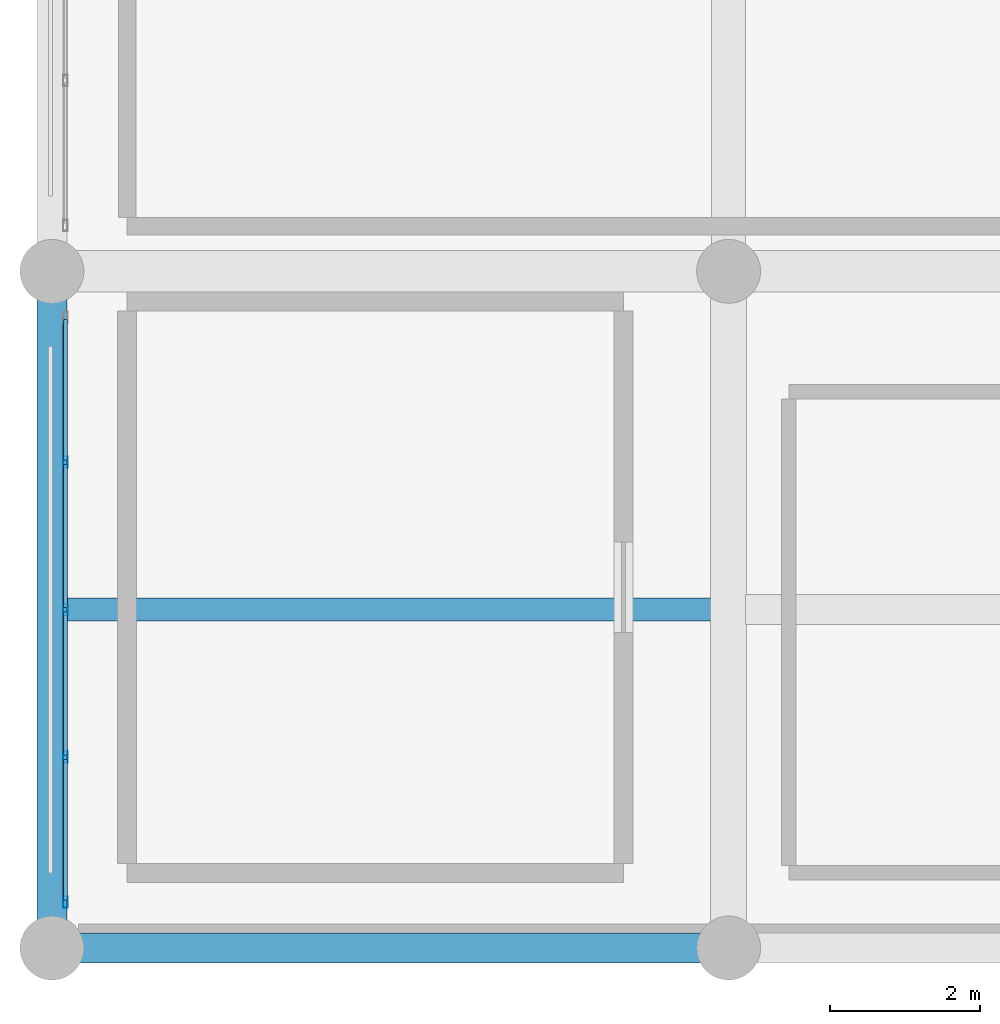
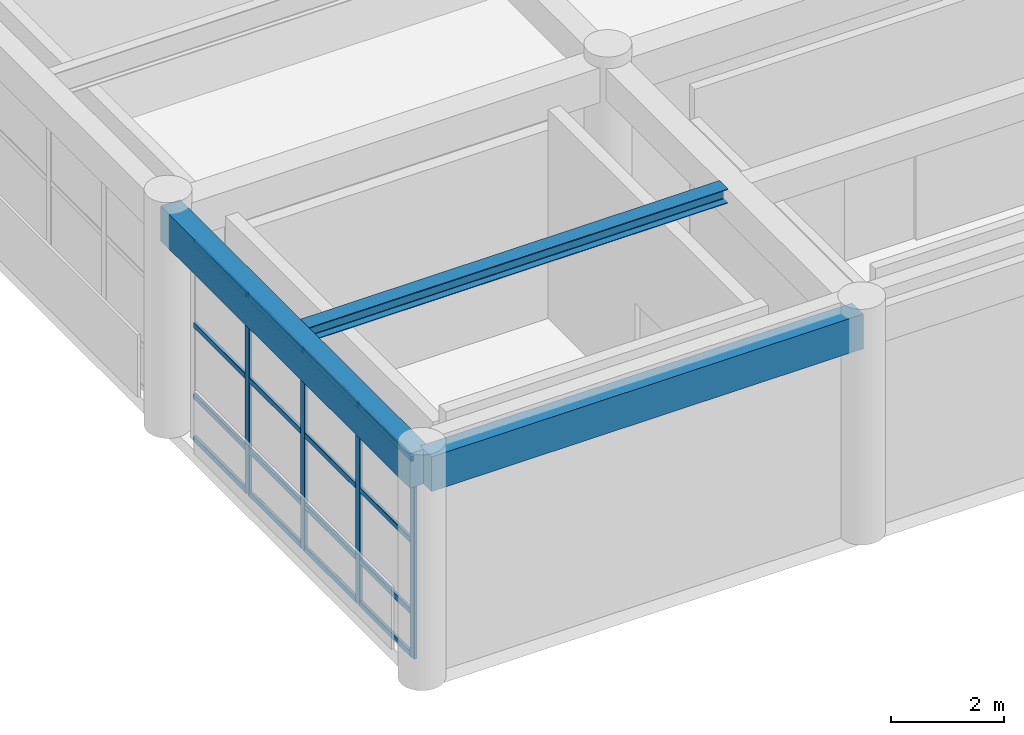
# One storey, part 15 of 128: 20 members, 3 beams, 1 element without a shape of its own.
"""IFC4 building model written with IfcOpenShell, lengths in metres."""

import ifcopenshell
import ifcopenshell.guid

model = None  # the IFC model being written
_history = None  # IfcOwnerHistory: only IFC2X3 demands one
_inside = {}  # id of a spatial element -> (the spatial element, [elements in it])
_under = {}  # id of a project, library or spatial element -> (it, [spatial elements below it])
_declared = {}  # id of a project -> (the project, [libraries it declares])
_typed = {}  # id of a type object -> (the type object, [elements of that type])
_made_of = {}  # id of a material, layer set ... -> (it, [elements and type objects made of it])


def new_model(schema):
    """Start an empty IFC model of exactly this schema.

    Asked for "IFC4X3", IfcOpenShell would pick the latest addendum, in which some entities
    have other attributes; the version numbers below select the first issue.
    IFC2X3 requires an IfcOwnerHistory on every rooted entity: one is made here for all.
    """
    global model, _history
    if schema == "IFC4X3":
        model = ifcopenshell.file(schema_version=(4, 3, 0, 0))
    else:
        model = ifcopenshell.file(schema=schema)
    _inside.clear()
    _under.clear()
    _declared.clear()
    _typed.clear()
    _made_of.clear()
    _history = None
    if model.schema == "IFC2X3":
        org = make("IfcOrganization", Name="unknown")
        user = make(
            "IfcPersonAndOrganization",
            ThePerson=make("IfcPerson", FamilyName="unknown"),
            TheOrganization=org,
        )
        app = make(
            "IfcApplication",
            ApplicationDeveloper=org,
            Version="unknown",
            ApplicationFullName="unknown",
            ApplicationIdentifier="unknown",
        )
        _history = make(
            "IfcOwnerHistory",
            OwningUser=user,
            OwningApplication=app,
            ChangeAction="ADDED",
            CreationDate=0,
        )
    return model


def make(cls, **values):
    """One entity of the class cls with the attributes given. An attribute that is None is left unset."""
    return model.create_entity(
        cls, **{name: value for name, value in values.items() if value is not None}
    )


def rooted(cls, **values):
    """An entity with a GlobalId (a new one), such as an element, a storey or a relation."""
    return make(cls, GlobalId=ifcopenshell.guid.new(), OwnerHistory=_history, **values)


def si_unit(unit_type, name, prefix=None):
    """IfcSIUnit, for example si_unit("LENGTHUNIT", "METRE", prefix="MILLI")."""
    return make("IfcSIUnit", UnitType=unit_type, Prefix=prefix, Name=name)


def assignment(units):
    """IfcUnitAssignment: the units of a project."""
    return None if units is None else make("IfcUnitAssignment", Units=units)


def point(xyz):
    """IfcCartesianPoint."""
    return None if xyz is None else make("IfcCartesianPoint", Coordinates=xyz)


def direction(xyz):
    """IfcDirection."""
    return None if xyz is None else make("IfcDirection", DirectionRatios=xyz)


def frame(location, z_axis=None, x_axis=None):
    """IfcAxis2Placement3D, a coordinate frame: its origin and axes. An axis left out is left unset."""
    return make(
        "IfcAxis2Placement3D",
        Location=point(location),
        Axis=direction(z_axis),
        RefDirection=direction(x_axis),
    )


def frame_2d(location, x_axis=None):
    """IfcAxis2Placement2D, a coordinate frame in the plane: its origin and x axis."""
    return make(
        "IfcAxis2Placement2D", Location=point(location), RefDirection=direction(x_axis)
    )


def origin():
    """The frame at (0, 0, 0) with its axes left unset."""
    return frame((0.0, 0.0, 0.0))


def origin_2d():
    """The frame at (0, 0) in the plane with its x axis left unset."""
    return frame_2d((0.0, 0.0))


def place(relative_to, where):
    """IfcLocalPlacement: puts the frame where relative to a parent placement (None: the world)."""
    return make(
        "IfcLocalPlacement", PlacementRelTo=relative_to, RelativePlacement=where
    )


def context(
    kind, dimensions, precision=None, world=None, true_north=None, identifier=None
):
    """IfcGeometricRepresentationContext, for example the 3D "Model" context."""
    return make(
        "IfcGeometricRepresentationContext",
        ContextIdentifier=identifier,
        ContextType=kind,
        CoordinateSpaceDimension=dimensions,
        Precision=precision,
        WorldCoordinateSystem=world,
        TrueNorth=true_north,
    )


def subcontext(parent, identifier, kind, view, scale=None):
    """IfcGeometricRepresentationSubContext, for example "Body" below "Model"."""
    return make(
        "IfcGeometricRepresentationSubContext",
        ContextIdentifier=identifier,
        ContextType=kind,
        ParentContext=parent,
        TargetScale=scale,
        TargetView=view,
    )


def project(units=None, contexts=None):
    """IfcProject with its units and contexts."""
    return rooted(
        "IfcProject",
        Name="project",
        RepresentationContexts=contexts,
        UnitsInContext=assignment(units),
    )


def spatial(cls, under=None, at=None, **own):
    """A site, building, storey or space (cls), placed at a placement, below another one or the project."""
    s = rooted(cls, ObjectPlacement=at, **own)
    if under is not None:
        _under.setdefault(under.id(), (under, []))[1].append(s)
    return s


def profile(cls, at=None, kind="AREA", **sizes):
    """A parametric profile (cls). Its sizes go by their IFC names, for example OverallWidth=200.0."""
    return make(cls, ProfileType=kind, Position=at, **sizes)


def rectangle(**sizes):
    """IfcRectangleProfileDef."""
    return profile("IfcRectangleProfileDef", **sizes)


def hollow_rectangle(**sizes):
    """IfcRectangleHollowProfileDef."""
    return profile("IfcRectangleHollowProfileDef", **sizes)


def i_section(**sizes):
    """IfcIShapeProfileDef."""
    return profile("IfcIShapeProfileDef", **sizes)


def extrude(swept, where, along, depth):
    """IfcExtrudedAreaSolid: the profile swept, set in the frame where, extruded along a direction by depth."""
    return make(
        "IfcExtrudedAreaSolid",
        SweptArea=swept,
        Position=where,
        ExtrudedDirection=direction(along),
        Depth=depth,
    )


def shape(context_of_items, identifier, shape_type, items):
    """IfcShapeRepresentation: the items that make up one representation, for example the "Body"."""
    return make(
        "IfcShapeRepresentation",
        ContextOfItems=context_of_items,
        RepresentationIdentifier=identifier,
        RepresentationType=shape_type,
        Items=items,
    )


def material(Name=None, Category=None):
    """IfcMaterial."""
    return make("IfcMaterial", Name=Name, Category=Category)


def material_profile(
    of_material, cross_section, Name=None, Category=None, Priority=None
):
    """IfcMaterialProfile: a cross section and its material."""
    return make(
        "IfcMaterialProfile",
        Name=Name,
        Material=of_material,
        Profile=cross_section,
        Priority=Priority,
        Category=Category,
    )


def profile_set(profiles, Name=None, composite=None):
    """IfcMaterialProfileSet."""
    return make(
        "IfcMaterialProfileSet",
        Name=Name,
        MaterialProfiles=profiles,
        CompositeProfile=composite,
    )


def made_of(thing, what):
    """Note that an element or type object is made of a material, layer set ...; save() writes the relation."""
    if what is not None:
        _made_of.setdefault(what.id(), (what, []))[1].append(thing)
    return thing


def type_object(cls, material=None, **own):
    """A type object (cls), such as IfcWallType, which elements share."""
    return made_of(rooted(cls, **own), material)


def element(
    cls,
    number,
    at=None,
    inside=None,
    cuts=None,
    type_object=None,
    material=None,
    context=None,
    identifier="Body",
    shape_type=None,
    held_by="IfcProductDefinitionShape",
    body=None,
    shapes=None,
    **own,
):
    """One element of the class cls, such as IfcWall. Its Tag is "e" and its number.

    at: its placement. inside: the storey or other place that contains it. cuts: it is an
    opening in that element (IfcRelVoidsElement). A single representation is given by context,
    identifier, shape_type and body (its items); several are given by shapes. held_by: the class
    of the entity that holds the representations. save() writes the other relations.
    """
    e = rooted(cls, Tag="e%d" % number, ObjectPlacement=at, **own)
    if body is not None:
        shapes = [shape(context, identifier, shape_type, body)]
    if shapes is not None:
        e.Representation = make(held_by, Representations=shapes)
    if inside is not None:
        _inside.setdefault(inside.id(), (inside, []))[1].append(e)
    if cuts is not None:
        rooted(
            "IfcRelVoidsElement", RelatingBuildingElement=cuts, RelatedOpeningElement=e
        )
    if type_object is not None:
        _typed.setdefault(type_object.id(), (type_object, []))[1].append(e)
    return made_of(e, material)


def aggregate(whole, parts):
    """IfcRelAggregates: a whole, such as a stair, and the parts it consists of."""
    return rooted("IfcRelAggregates", RelatingObject=whole, RelatedObjects=parts)


def save(model, path):
    """Write the relations noted so far, then the file.

    IfcRelAggregates (storeys below a building ...), IfcRelContainedInSpatialStructure (elements
    in a storey), IfcRelDefinesByType, IfcRelAssociatesMaterial and IfcRelDeclares: one each for
    every whole, place, type object, material and project.
    """
    for whole, parts in _under.values():
        aggregate(whole, parts)
    for where, things in _inside.values():
        rooted(
            "IfcRelContainedInSpatialStructure",
            RelatedElements=things,
            RelatingStructure=where,
        )
    for kind, things in _typed.values():
        rooted("IfcRelDefinesByType", RelatedObjects=things, RelatingType=kind)
    for what, things in _made_of.values():
        rooted("IfcRelAssociatesMaterial", RelatedObjects=things, RelatingMaterial=what)
    for by, libraries in _declared.values():
        rooted("IfcRelDeclares", RelatingContext=by, RelatedDefinitions=libraries)
    model.write(path)


model = new_model("IFC4")

# Units and contexts
model_context = context("Model", 3, precision=1e-05, world=origin(), true_north=direction((0.0, 1.0)))
body_context = subcontext(model_context, "Body", "Model", "MODEL_VIEW")
ifc_project = project(units=[si_unit("LENGTHUNIT", "METRE"), si_unit("AREAUNIT", "SQUARE_METRE"), si_unit("VOLUMEUNIT", "CUBIC_METRE"), si_unit("PLANEANGLEUNIT", "RADIAN"), si_unit("MASSUNIT", "GRAM", prefix="KILO")], contexts=[model_context])

# Site, building, storey
site_placement = place(None, origin())
site = spatial("IfcSite", under=ifc_project, at=site_placement, CompositionType="ELEMENT")
building_placement = place(site_placement, origin())
building = spatial("IfcBuilding", under=site, at=building_placement, Name="Miravela Opera House", CompositionType="ELEMENT")
storey_placement = place(building_placement, origin())
storey = spatial("IfcBuildingStorey", under=building, at=storey_placement, Name="L00", CompositionType="ELEMENT", Elevation=0.0)

# Curtain wall, members
ifc_material_1 = material(Name="Anodised architectural bronze aluminium 6063-T6", Category="aluminium")
curtain_wall_type = type_object("IfcCurtainWallType", Name="ARC-CW-07", PredefinedType="NOTDEFINED", material=ifc_material_1)
curtain_wall_placement = place(storey_placement, origin())
curtain_wall = element("IfcCurtainWall", 1, at=curtain_wall_placement, inside=storey, type_object=curtain_wall_type, Name="Courtyard Arcade Curtain Wall CW-L00-192", PredefinedType="NOTDEFINED")
ifc_material_profile_1 = material_profile(ifc_material_1, hollow_rectangle(XDim=0.06005859375, YDim=0.14990234375, WallThickness=0.00390625, InnerFilletRadius=0.001953125, OuterFilletRadius=0.00390625, at=origin_2d()), Name="CWM-60X150")
ifc_profile_set_1 = profile_set([ifc_material_profile_1])
member_type_1 = type_object("IfcMemberType", Name="ARC-CWM-150", PredefinedType="MULLION", material=ifc_profile_set_1)
member_1_placement = place(storey_placement, frame((0.179931640625, 0.610107421875, 0.0), z_axis=(0.0, 0.0, 1.0), x_axis=(-1.0, 0.0, 0.0)))
member_1 = element("IfcMember", 2, at=member_1_placement, type_object=member_type_1, Name="CW-07 mullion 1", PredefinedType="MULLION", context=body_context, shape_type="SweptSolid", body=[
    extrude(hollow_rectangle(XDim=0.06005859375, YDim=0.14990234375, WallThickness=0.00390625, InnerFilletRadius=0.001953125, OuterFilletRadius=0.00390625, at=origin_2d()), origin(), (0.0, 0.0, 1.0), 4.300048828125),
])
member_2_placement = place(storey_placement, frame((0.179931640625, 2.5400390625, 0.0), z_axis=(0.0, 0.0, 1.0), x_axis=(-1.0, 0.0, 0.0)))
member_2 = element("IfcMember", 3, at=member_2_placement, type_object=member_type_1, Name="CW-07 mullion 2", PredefinedType="MULLION", context=body_context, shape_type="SweptSolid", body=[
    extrude(hollow_rectangle(XDim=0.06005859375, YDim=0.14990234375, WallThickness=0.00390625, InnerFilletRadius=0.001953125, OuterFilletRadius=0.00390625, at=origin_2d()), origin(), (0.0, 0.0, 1.0), 4.300048828125),
])
member_3_placement = place(storey_placement, frame((0.179931640625, 4.5, 0.0), z_axis=(0.0, 0.0, 1.0), x_axis=(-1.0, 0.0, 0.0)))
member_3 = element("IfcMember", 4, at=member_3_placement, type_object=member_type_1, Name="CW-07 mullion 3", PredefinedType="MULLION", context=body_context, shape_type="SweptSolid", body=[
    extrude(hollow_rectangle(XDim=0.06005859375, YDim=0.14990234375, WallThickness=0.00390625, InnerFilletRadius=0.001953125, OuterFilletRadius=0.00390625, at=origin_2d()), origin(), (0.0, 0.0, 1.0), 4.300048828125),
])
member_4_placement = place(storey_placement, frame((0.179931640625, 6.4599609375, 0.0), z_axis=(0.0, 0.0, 1.0), x_axis=(-1.0, 0.0, 0.0)))
member_4 = element("IfcMember", 5, at=member_4_placement, type_object=member_type_1, Name="CW-07 mullion 4", PredefinedType="MULLION", context=body_context, shape_type="SweptSolid", body=[
    extrude(hollow_rectangle(XDim=0.06005859375, YDim=0.14990234375, WallThickness=0.00390625, InnerFilletRadius=0.001953125, OuterFilletRadius=0.00390625, at=origin_2d()), origin(), (0.0, 0.0, 1.0), 4.300048828125),
])
ifc_material_profile_2 = material_profile(ifc_material_1, hollow_rectangle(XDim=0.06005859375, YDim=0.114990234375, WallThickness=0.00390625, InnerFilletRadius=0.001953125, OuterFilletRadius=0.00390625, at=origin_2d()), Name="CWT-60X115")
ifc_profile_set_2 = profile_set([ifc_material_profile_2])
member_type_2 = type_object("IfcMemberType", Name="ARC-CWT-115", PredefinedType="USERDEFINED", material=ifc_profile_set_2)
member_5_placement = place(storey_placement, frame((0.179931640625, 0.639892578125, 0.030029296875), z_axis=(0.0, 1.0, 0.0), x_axis=(-1.0, 0.0, 0.0)))
member_5 = element("IfcMember", 6, at=member_5_placement, type_object=member_type_2, Name="CW-07 transom 1.1", ObjectType="TRANSOM", PredefinedType="USERDEFINED", context=body_context, shape_type="SweptSolid", body=[
    extrude(hollow_rectangle(XDim=0.06005859375, YDim=0.114990234375, WallThickness=0.00390625, InnerFilletRadius=0.001953125, OuterFilletRadius=0.00390625, at=origin_2d()), origin(), (0.0, 0.0, 1.0), 1.8701171875),
])
member_6_placement = place(storey_placement, frame((0.179931640625, 0.639892578125, 0.949951171875), z_axis=(0.0, 1.0, 0.0), x_axis=(-1.0, 0.0, 0.0)))
member_6 = element("IfcMember", 7, at=member_6_placement, type_object=member_type_2, Name="CW-07 transom 1.2", ObjectType="TRANSOM", PredefinedType="USERDEFINED", context=body_context, shape_type="SweptSolid", body=[
    extrude(hollow_rectangle(XDim=0.06005859375, YDim=0.114990234375, WallThickness=0.00390625, InnerFilletRadius=0.001953125, OuterFilletRadius=0.00390625, at=origin_2d()), origin(), (0.0, 0.0, 1.0), 1.8701171875),
])
member_7_placement = place(storey_placement, frame((0.179931640625, 0.639892578125, 2.493896484375), z_axis=(0.0, 1.0, 0.0), x_axis=(-1.0, 0.0, 0.0)))
member_7 = element("IfcMember", 8, at=member_7_placement, type_object=member_type_2, Name="CW-07 transom 1.3", ObjectType="TRANSOM", PredefinedType="USERDEFINED", context=body_context, shape_type="SweptSolid", body=[
    extrude(hollow_rectangle(XDim=0.06005859375, YDim=0.114990234375, WallThickness=0.00390625, InnerFilletRadius=0.001953125, OuterFilletRadius=0.00390625, at=origin_2d()), origin(), (0.0, 0.0, 1.0), 1.8701171875),
])
member_8_placement = place(storey_placement, frame((0.179931640625, 0.639892578125, 4.27001953125), z_axis=(0.0, 1.0, 0.0), x_axis=(-1.0, 0.0, 0.0)))
member_8 = element("IfcMember", 9, at=member_8_placement, type_object=member_type_2, Name="CW-07 transom 1.4", ObjectType="TRANSOM", PredefinedType="USERDEFINED", context=body_context, shape_type="SweptSolid", body=[
    extrude(hollow_rectangle(XDim=0.06005859375, YDim=0.114990234375, WallThickness=0.00390625, InnerFilletRadius=0.001953125, OuterFilletRadius=0.00390625, at=origin_2d()), origin(), (0.0, 0.0, 1.0), 1.8701171875),
])
member_9_placement = place(storey_placement, frame((0.179931640625, 2.570068359375, 0.030029296875), z_axis=(0.0, 1.0, 0.0), x_axis=(-1.0, 0.0, 0.0)))
member_9 = element("IfcMember", 10, at=member_9_placement, type_object=member_type_2, Name="CW-07 transom 2.1", ObjectType="TRANSOM", PredefinedType="USERDEFINED", context=body_context, shape_type="SweptSolid", body=[
    extrude(hollow_rectangle(XDim=0.06005859375, YDim=0.114990234375, WallThickness=0.00390625, InnerFilletRadius=0.001953125, OuterFilletRadius=0.00390625, at=origin_2d()), origin(), (0.0, 0.0, 1.0), 1.89990234375),
])
member_10_placement = place(storey_placement, frame((0.179931640625, 2.570068359375, 0.949951171875), z_axis=(0.0, 1.0, 0.0), x_axis=(-1.0, 0.0, 0.0)))
member_10 = element("IfcMember", 11, at=member_10_placement, type_object=member_type_2, Name="CW-07 transom 2.2", ObjectType="TRANSOM", PredefinedType="USERDEFINED", context=body_context, shape_type="SweptSolid", body=[
    extrude(hollow_rectangle(XDim=0.06005859375, YDim=0.114990234375, WallThickness=0.00390625, InnerFilletRadius=0.001953125, OuterFilletRadius=0.00390625, at=origin_2d()), origin(), (0.0, 0.0, 1.0), 1.89990234375),
])
member_11_placement = place(storey_placement, frame((0.179931640625, 2.570068359375, 2.493896484375), z_axis=(0.0, 1.0, 0.0), x_axis=(-1.0, 0.0, 0.0)))
member_11 = element("IfcMember", 12, at=member_11_placement, type_object=member_type_2, Name="CW-07 transom 2.3", ObjectType="TRANSOM", PredefinedType="USERDEFINED", context=body_context, shape_type="SweptSolid", body=[
    extrude(hollow_rectangle(XDim=0.06005859375, YDim=0.114990234375, WallThickness=0.00390625, InnerFilletRadius=0.001953125, OuterFilletRadius=0.00390625, at=origin_2d()), origin(), (0.0, 0.0, 1.0), 1.89990234375),
])
member_12_placement = place(storey_placement, frame((0.179931640625, 2.570068359375, 4.27001953125), z_axis=(0.0, 1.0, 0.0), x_axis=(-1.0, 0.0, 0.0)))
member_12 = element("IfcMember", 13, at=member_12_placement, type_object=member_type_2, Name="CW-07 transom 2.4", ObjectType="TRANSOM", PredefinedType="USERDEFINED", context=body_context, shape_type="SweptSolid", body=[
    extrude(hollow_rectangle(XDim=0.06005859375, YDim=0.114990234375, WallThickness=0.00390625, InnerFilletRadius=0.001953125, OuterFilletRadius=0.00390625, at=origin_2d()), origin(), (0.0, 0.0, 1.0), 1.89990234375),
])
member_13_placement = place(storey_placement, frame((0.179931640625, 4.530029296875, 0.030029296875), z_axis=(0.0, 1.0, 0.0), x_axis=(-1.0, 0.0, 0.0)))
member_13 = element("IfcMember", 14, at=member_13_placement, type_object=member_type_2, Name="CW-07 transom 3.1", ObjectType="TRANSOM", PredefinedType="USERDEFINED", context=body_context, shape_type="SweptSolid", body=[
    extrude(hollow_rectangle(XDim=0.06005859375, YDim=0.114990234375, WallThickness=0.00390625, InnerFilletRadius=0.001953125, OuterFilletRadius=0.00390625, at=origin_2d()), origin(), (0.0, 0.0, 1.0), 1.89990234375),
])
member_14_placement = place(storey_placement, frame((0.179931640625, 4.530029296875, 0.949951171875), z_axis=(0.0, 1.0, 0.0), x_axis=(-1.0, 0.0, 0.0)))
member_14 = element("IfcMember", 15, at=member_14_placement, type_object=member_type_2, Name="CW-07 transom 3.2", ObjectType="TRANSOM", PredefinedType="USERDEFINED", context=body_context, shape_type="SweptSolid", body=[
    extrude(hollow_rectangle(XDim=0.06005859375, YDim=0.114990234375, WallThickness=0.00390625, InnerFilletRadius=0.001953125, OuterFilletRadius=0.00390625, at=origin_2d()), origin(), (0.0, 0.0, 1.0), 1.89990234375),
])
member_15_placement = place(storey_placement, frame((0.179931640625, 4.530029296875, 2.493896484375), z_axis=(0.0, 1.0, 0.0), x_axis=(-1.0, 0.0, 0.0)))
member_15 = element("IfcMember", 16, at=member_15_placement, type_object=member_type_2, Name="CW-07 transom 3.3", ObjectType="TRANSOM", PredefinedType="USERDEFINED", context=body_context, shape_type="SweptSolid", body=[
    extrude(hollow_rectangle(XDim=0.06005859375, YDim=0.114990234375, WallThickness=0.00390625, InnerFilletRadius=0.001953125, OuterFilletRadius=0.00390625, at=origin_2d()), origin(), (0.0, 0.0, 1.0), 1.89990234375),
])
member_16_placement = place(storey_placement, frame((0.179931640625, 4.530029296875, 4.27001953125), z_axis=(0.0, 1.0, 0.0), x_axis=(-1.0, 0.0, 0.0)))
member_16 = element("IfcMember", 17, at=member_16_placement, type_object=member_type_2, Name="CW-07 transom 3.4", ObjectType="TRANSOM", PredefinedType="USERDEFINED", context=body_context, shape_type="SweptSolid", body=[
    extrude(hollow_rectangle(XDim=0.06005859375, YDim=0.114990234375, WallThickness=0.00390625, InnerFilletRadius=0.001953125, OuterFilletRadius=0.00390625, at=origin_2d()), origin(), (0.0, 0.0, 1.0), 1.89990234375),
])
member_17_placement = place(storey_placement, frame((0.179931640625, 6.489990234375, 0.030029296875), z_axis=(0.0, 1.0, 0.0), x_axis=(-1.0, 0.0, 0.0)))
member_17 = element("IfcMember", 18, at=member_17_placement, type_object=member_type_2, Name="CW-07 transom 4.1", ObjectType="TRANSOM", PredefinedType="USERDEFINED", context=body_context, shape_type="SweptSolid", body=[
    extrude(hollow_rectangle(XDim=0.06005859375, YDim=0.114990234375, WallThickness=0.00390625, InnerFilletRadius=0.001953125, OuterFilletRadius=0.00390625, at=origin_2d()), origin(), (0.0, 0.0, 1.0), 1.8701171875),
])
member_18_placement = place(storey_placement, frame((0.179931640625, 6.489990234375, 0.949951171875), z_axis=(0.0, 1.0, 0.0), x_axis=(-1.0, 0.0, 0.0)))
member_18 = element("IfcMember", 19, at=member_18_placement, type_object=member_type_2, Name="CW-07 transom 4.2", ObjectType="TRANSOM", PredefinedType="USERDEFINED", context=body_context, shape_type="SweptSolid", body=[
    extrude(hollow_rectangle(XDim=0.06005859375, YDim=0.114990234375, WallThickness=0.00390625, InnerFilletRadius=0.001953125, OuterFilletRadius=0.00390625, at=origin_2d()), origin(), (0.0, 0.0, 1.0), 1.8701171875),
])
member_19_placement = place(storey_placement, frame((0.179931640625, 6.489990234375, 2.493896484375), z_axis=(0.0, 1.0, 0.0), x_axis=(-1.0, 0.0, 0.0)))
member_19 = element("IfcMember", 20, at=member_19_placement, type_object=member_type_2, Name="CW-07 transom 4.3", ObjectType="TRANSOM", PredefinedType="USERDEFINED", context=body_context, shape_type="SweptSolid", body=[
    extrude(hollow_rectangle(XDim=0.06005859375, YDim=0.114990234375, WallThickness=0.00390625, InnerFilletRadius=0.001953125, OuterFilletRadius=0.00390625, at=origin_2d()), origin(), (0.0, 0.0, 1.0), 1.8701171875),
])
member_20_placement = place(storey_placement, frame((0.179931640625, 6.489990234375, 4.27001953125), z_axis=(0.0, 1.0, 0.0), x_axis=(-1.0, 0.0, 0.0)))
member_20 = element("IfcMember", 21, at=member_20_placement, type_object=member_type_2, Name="CW-07 transom 4.4", ObjectType="TRANSOM", PredefinedType="USERDEFINED", context=body_context, shape_type="SweptSolid", body=[
    extrude(hollow_rectangle(XDim=0.06005859375, YDim=0.114990234375, WallThickness=0.00390625, InnerFilletRadius=0.001953125, OuterFilletRadius=0.00390625, at=origin_2d()), origin(), (0.0, 0.0, 1.0), 1.8701171875),
])
aggregate(curtain_wall, [member_1, member_2, member_3, member_4, member_5, member_6, member_7, member_8, member_9, member_10, member_11, member_12, member_13, member_14, member_15, member_16, member_17, member_18, member_19, member_20])

# Beams
ifc_material_2 = material(Name="Structural steel ASTM A992 Gr. 50", Category="steel")
ifc_material_profile_3 = material_profile(ifc_material_2, i_section(OverallWidth=0.304931640625, OverallDepth=0.30810546875, WebThickness=0.010009765625, FlangeThickness=0.015380859375, FilletRadius=0.013916015625, at=origin_2d()), Name="W310X97")
ifc_profile_set_3 = profile_set([ifc_material_profile_3])
beam_type_1 = type_object("IfcBeamType", Name="STR-BM-W310X97", PredefinedType="JOIST", material=ifc_profile_set_3)
beam_placement = place(storey_placement, frame((0.18505859375, 4.5, 4.696044921875), z_axis=(1.0, 0.0, 0.0), x_axis=(0.0, 1.0, 0.0)))
element("IfcBeam", 22, at=beam_placement, inside=storey, type_object=beam_type_1, Name="Secondary Floor Joist L00 1-2/A-B", PredefinedType="JOIST", context=body_context, shape_type="SweptSolid", body=[
    extrude(i_section(OverallWidth=0.304931640625, OverallDepth=0.30810546875, WebThickness=0.010009765625, FlangeThickness=0.015380859375, FilletRadius=0.013916015625, at=origin_2d()), origin(), (0.0, 0.0, 1.0), 8.58984375),
])
ifc_material_3 = material(Name="Concrete C35/45", Category="concrete")
ifc_material_profile_4 = material_profile(ifc_material_3, rectangle(XDim=0.39990234375, YDim=0.75, at=origin_2d()), Name="RC-SPN-400X750")
ifc_profile_set_4 = profile_set([ifc_material_profile_4])
beam_type_2 = type_object("IfcBeamType", Name="STR-SPN-RC400X750", PredefinedType="SPANDREL", material=ifc_profile_set_4)
for number, where, z_axis, x_axis, name in (
    (23, (0.080078125, 0.0, 4.47509765625), (1.0, 0.0, 0.0), (0.0, 1.0, 0.0), "Floor Girder L00 1-2/A"),
    (24, (0.0, 0.080078125, 4.47509765625), (0.0, 1.0, 0.0), (-1.0, 0.0, 0.0), "Floor Girder L00 1/A-B"),
):
    element("IfcBeam", number, at=place(storey_placement, frame(where, z_axis=z_axis, x_axis=x_axis)), inside=storey, type_object=beam_type_2, Name=name, PredefinedType="SPANDREL", context=body_context, shape_type="SweptSolid", body=[
        extrude(rectangle(XDim=0.39990234375, YDim=0.75, at=origin_2d()), origin(), (0.0, 0.0, 1.0), 8.83984375),
    ])

save(model, "model.ifc")
